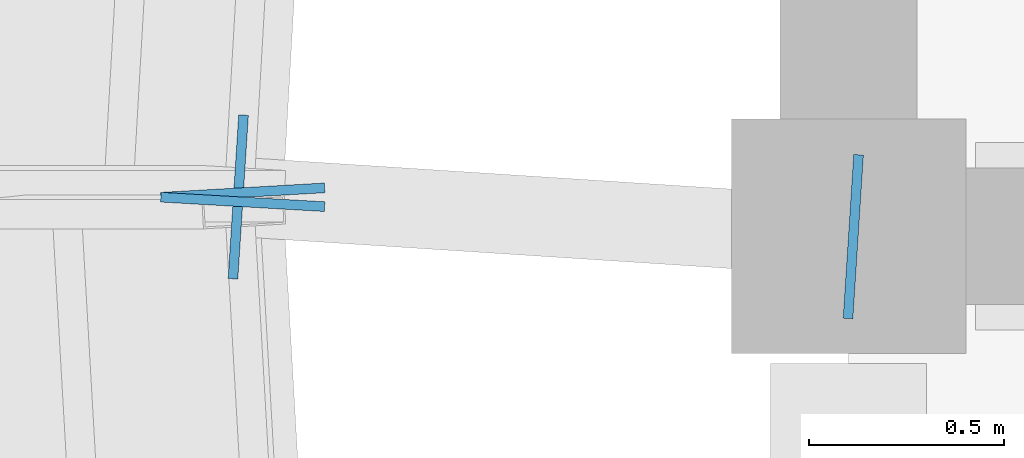
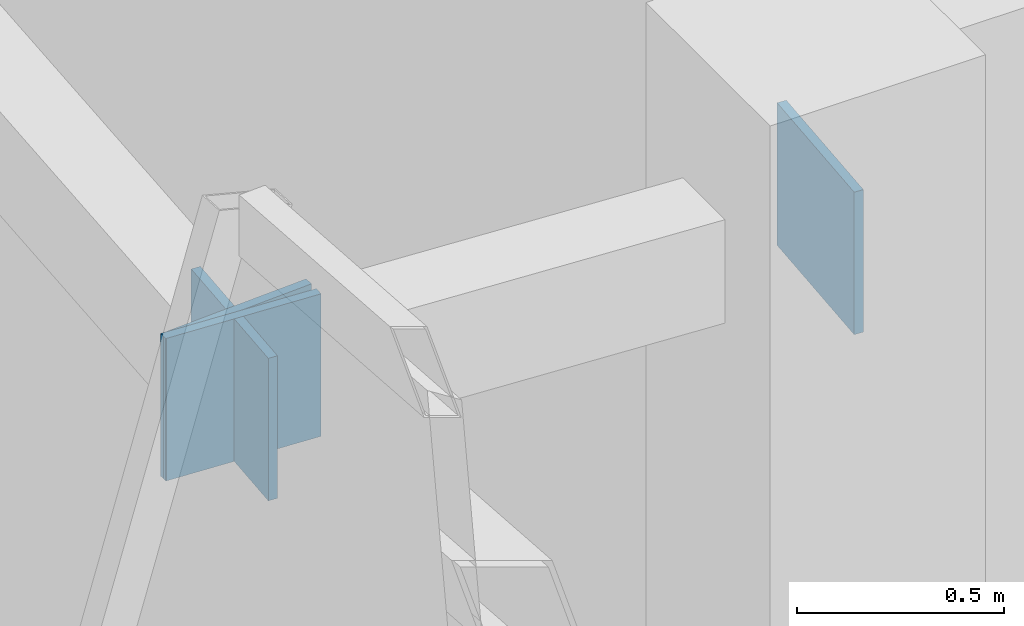
# One storey, part 48 of 71: 4 plates.
"""IFC4 building model written with IfcOpenShell, lengths in metres."""

from ifc_helpers import new_model, si_unit, direction, frame, origin, origin_2d, place, context, subcontext, project, spatial, rectangle, extrude, material, layer, layer_set, type_object, element, save


model = new_model("IFC4")

# Units and contexts
model_context = context("Model", 3, precision=1e-05, world=origin(), true_north=direction((0.0, 1.0)))
body_context = subcontext(model_context, "Body", "Model", "MODEL_VIEW")
ifc_project = project(units=[si_unit("LENGTHUNIT", "METRE"), si_unit("AREAUNIT", "SQUARE_METRE"), si_unit("VOLUMEUNIT", "CUBIC_METRE"), si_unit("PLANEANGLEUNIT", "RADIAN"), si_unit("MASSUNIT", "GRAM", prefix="KILO")], contexts=[model_context])

# Site, building, storey
site_placement = place(None, origin())
site = spatial("IfcSite", under=ifc_project, at=site_placement, CompositionType="ELEMENT")
building_placement = place(site_placement, origin())
building = spatial("IfcBuilding", under=site, at=building_placement, Name="Pellamere Symphony Hall", CompositionType="ELEMENT")
storey_placement = place(building_placement, frame((0.0, 0.0, 15.0)))
storey = spatial("IfcBuildingStorey", under=building, at=storey_placement, Name="L03", CompositionType="ELEMENT", Elevation=15.0)

# Plates
ifc_material = material(Name="Steel CSA G40.21 350W", Category="steel")
ifc_layer = layer(ifc_material, 0.02490234375, Name="Steel CSA G40.21 350W")
ifc_layer_set = layer_set([ifc_layer], Name="Steel CSA G40.21 350W")
plate_type = type_object("IfcPlateType", Name="Steel Connection Plate KP-01 420x420x25", PredefinedType="SHEET", material=ifc_layer_set)
for number, where, z_axis, x_axis, name in (
    (1, (48.849365234375, 77.488037109375, 3.72998046875), (0.0, 0.0, 1.0), (-0.05756402696, -0.998341816614, 0.0), "Crystal Spandrel End Cap Plate CW-CR15-2 (L03)"),
    (2, (50.412109375, 77.399169921875, 3.72998046875), (0.0, 0.0, 1.0), (-0.997926866086, 0.064358138139, 0.0), "Outrigger End Cap Plate 092.1 (L03)"),
    (3, (48.837890625, 77.500732421875, 3.72998046875), (0.0, 0.0, 1.0), (-0.997926866086, 0.064358138139, 0.0), "Outrigger End Cap Plate 092.2 (L03)"),
    (4, (48.849365234375, 77.511962890625, 3.72998046875), (0.0, 0.0, 1.0), (0.057215536424, -0.998361849427, 0.0), "Crystal Spandrel End Cap Plate CW-CR16-1 (L03)"),
):
    element("IfcPlate", number, at=place(storey_placement, frame(where, z_axis=z_axis, x_axis=x_axis)), inside=storey, type_object=plate_type, Name=name, PredefinedType="SHEET", context=body_context, shape_type="SweptSolid", body=[
        extrude(rectangle(XDim=0.02490234375, YDim=0.419921875, at=origin_2d()), origin(), (0.0, 0.0, 1.0), 0.419921875),
    ])

save(model, "model.ifc")
